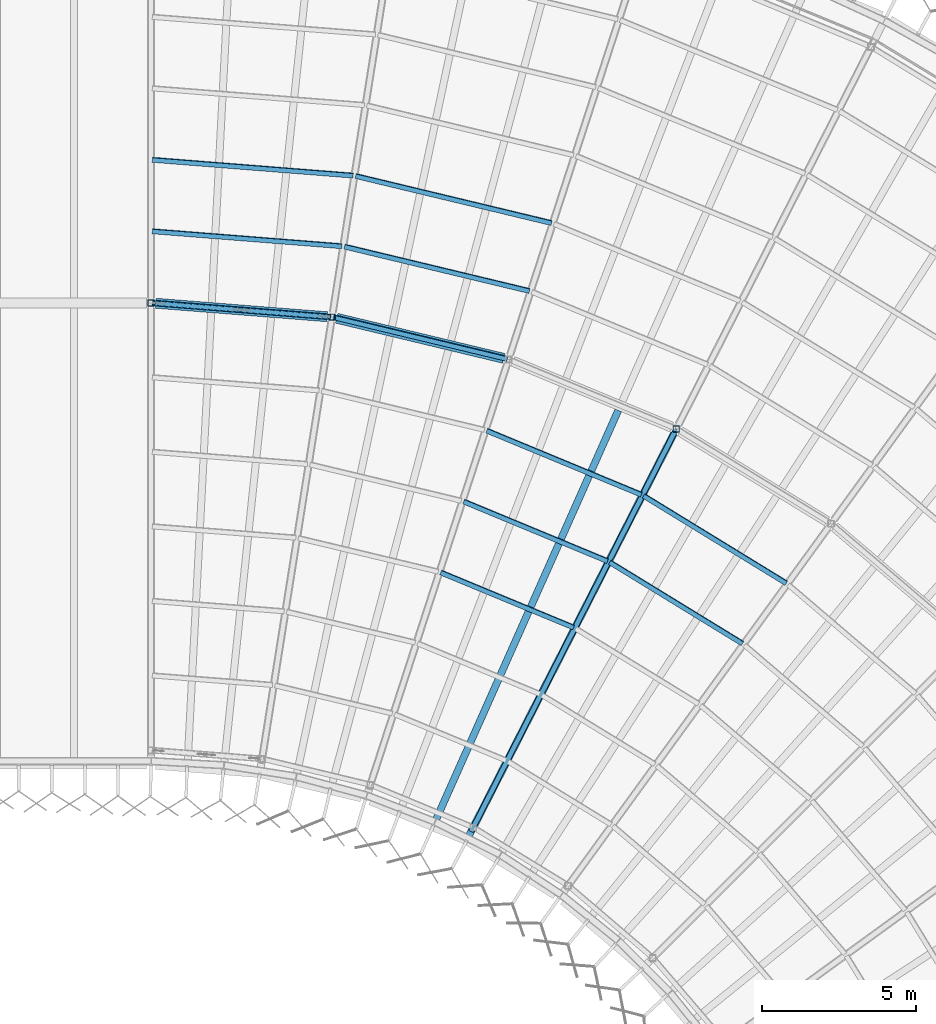
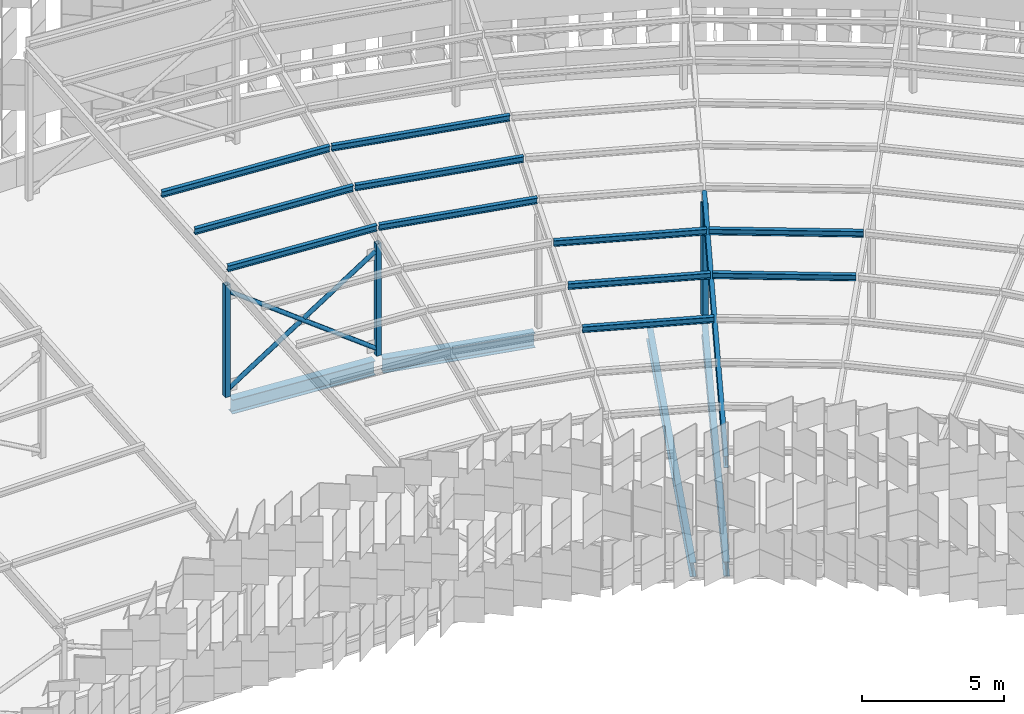
# One storey, part 85 of 483: 18 members, 4 beams.
"""IFC4 building model written with IfcOpenShell, lengths in metres."""

import ifcopenshell
import ifcopenshell.guid

model = None  # the IFC model being written
_history = None  # IfcOwnerHistory: only IFC2X3 demands one
_inside = {}  # id of a spatial element -> (the spatial element, [elements in it])
_under = {}  # id of a project, library or spatial element -> (it, [spatial elements below it])
_declared = {}  # id of a project -> (the project, [libraries it declares])
_typed = {}  # id of a type object -> (the type object, [elements of that type])
_made_of = {}  # id of a material, layer set ... -> (it, [elements and type objects made of it])


def new_model(schema):
    """Start an empty IFC model of exactly this schema.

    Asked for "IFC4X3", IfcOpenShell would pick the latest addendum, in which some entities
    have other attributes; the version numbers below select the first issue.
    IFC2X3 requires an IfcOwnerHistory on every rooted entity: one is made here for all.
    """
    global model, _history
    if schema == "IFC4X3":
        model = ifcopenshell.file(schema_version=(4, 3, 0, 0))
    else:
        model = ifcopenshell.file(schema=schema)
    _inside.clear()
    _under.clear()
    _declared.clear()
    _typed.clear()
    _made_of.clear()
    _history = None
    if model.schema == "IFC2X3":
        org = make("IfcOrganization", Name="unknown")
        user = make(
            "IfcPersonAndOrganization",
            ThePerson=make("IfcPerson", FamilyName="unknown"),
            TheOrganization=org,
        )
        app = make(
            "IfcApplication",
            ApplicationDeveloper=org,
            Version="unknown",
            ApplicationFullName="unknown",
            ApplicationIdentifier="unknown",
        )
        _history = make(
            "IfcOwnerHistory",
            OwningUser=user,
            OwningApplication=app,
            ChangeAction="ADDED",
            CreationDate=0,
        )
    return model


def make(cls, **values):
    """One entity of the class cls with the attributes given. An attribute that is None is left unset."""
    return model.create_entity(
        cls, **{name: value for name, value in values.items() if value is not None}
    )


def rooted(cls, **values):
    """An entity with a GlobalId (a new one), such as an element, a storey or a relation."""
    return make(cls, GlobalId=ifcopenshell.guid.new(), OwnerHistory=_history, **values)


def si_unit(unit_type, name, prefix=None):
    """IfcSIUnit, for example si_unit("LENGTHUNIT", "METRE", prefix="MILLI")."""
    return make("IfcSIUnit", UnitType=unit_type, Prefix=prefix, Name=name)


def assignment(units):
    """IfcUnitAssignment: the units of a project."""
    return None if units is None else make("IfcUnitAssignment", Units=units)


def point(xyz):
    """IfcCartesianPoint."""
    return None if xyz is None else make("IfcCartesianPoint", Coordinates=xyz)


def direction(xyz):
    """IfcDirection."""
    return None if xyz is None else make("IfcDirection", DirectionRatios=xyz)


def frame(location, z_axis=None, x_axis=None):
    """IfcAxis2Placement3D, a coordinate frame: its origin and axes. An axis left out is left unset."""
    return make(
        "IfcAxis2Placement3D",
        Location=point(location),
        Axis=direction(z_axis),
        RefDirection=direction(x_axis),
    )


def frame_2d(location, x_axis=None):
    """IfcAxis2Placement2D, a coordinate frame in the plane: its origin and x axis."""
    return make(
        "IfcAxis2Placement2D", Location=point(location), RefDirection=direction(x_axis)
    )


def origin():
    """The frame at (0, 0, 0) with its axes left unset."""
    return frame((0.0, 0.0, 0.0))


def origin_2d():
    """The frame at (0, 0) in the plane with its x axis left unset."""
    return frame_2d((0.0, 0.0))


def place(relative_to, where):
    """IfcLocalPlacement: puts the frame where relative to a parent placement (None: the world)."""
    return make(
        "IfcLocalPlacement", PlacementRelTo=relative_to, RelativePlacement=where
    )


def context(
    kind, dimensions, precision=None, world=None, true_north=None, identifier=None
):
    """IfcGeometricRepresentationContext, for example the 3D "Model" context."""
    return make(
        "IfcGeometricRepresentationContext",
        ContextIdentifier=identifier,
        ContextType=kind,
        CoordinateSpaceDimension=dimensions,
        Precision=precision,
        WorldCoordinateSystem=world,
        TrueNorth=true_north,
    )


def subcontext(parent, identifier, kind, view, scale=None):
    """IfcGeometricRepresentationSubContext, for example "Body" below "Model"."""
    return make(
        "IfcGeometricRepresentationSubContext",
        ContextIdentifier=identifier,
        ContextType=kind,
        ParentContext=parent,
        TargetScale=scale,
        TargetView=view,
    )


def project(units=None, contexts=None):
    """IfcProject with its units and contexts."""
    return rooted(
        "IfcProject",
        Name="project",
        RepresentationContexts=contexts,
        UnitsInContext=assignment(units),
    )


def spatial(cls, under=None, at=None, **own):
    """A site, building, storey or space (cls), placed at a placement, below another one or the project."""
    s = rooted(cls, ObjectPlacement=at, **own)
    if under is not None:
        _under.setdefault(under.id(), (under, []))[1].append(s)
    return s


def profile(cls, at=None, kind="AREA", **sizes):
    """A parametric profile (cls). Its sizes go by their IFC names, for example OverallWidth=200.0."""
    return make(cls, ProfileType=kind, Position=at, **sizes)


def hollow_rectangle(**sizes):
    """IfcRectangleHollowProfileDef."""
    return profile("IfcRectangleHollowProfileDef", **sizes)


def hollow_circle(**sizes):
    """IfcCircleHollowProfileDef."""
    return profile("IfcCircleHollowProfileDef", **sizes)


def i_section(**sizes):
    """IfcIShapeProfileDef."""
    return profile("IfcIShapeProfileDef", **sizes)


def extrude(swept, where, along, depth):
    """IfcExtrudedAreaSolid: the profile swept, set in the frame where, extruded along a direction by depth."""
    return make(
        "IfcExtrudedAreaSolid",
        SweptArea=swept,
        Position=where,
        ExtrudedDirection=direction(along),
        Depth=depth,
    )


def shape(context_of_items, identifier, shape_type, items):
    """IfcShapeRepresentation: the items that make up one representation, for example the "Body"."""
    return make(
        "IfcShapeRepresentation",
        ContextOfItems=context_of_items,
        RepresentationIdentifier=identifier,
        RepresentationType=shape_type,
        Items=items,
    )


def material(Name=None, Category=None):
    """IfcMaterial."""
    return make("IfcMaterial", Name=Name, Category=Category)


def material_profile(
    of_material, cross_section, Name=None, Category=None, Priority=None
):
    """IfcMaterialProfile: a cross section and its material."""
    return make(
        "IfcMaterialProfile",
        Name=Name,
        Material=of_material,
        Profile=cross_section,
        Priority=Priority,
        Category=Category,
    )


def profile_set(profiles, Name=None, composite=None):
    """IfcMaterialProfileSet."""
    return make(
        "IfcMaterialProfileSet",
        Name=Name,
        MaterialProfiles=profiles,
        CompositeProfile=composite,
    )


def made_of(thing, what):
    """Note that an element or type object is made of a material, layer set ...; save() writes the relation."""
    if what is not None:
        _made_of.setdefault(what.id(), (what, []))[1].append(thing)
    return thing


def type_object(cls, material=None, **own):
    """A type object (cls), such as IfcWallType, which elements share."""
    return made_of(rooted(cls, **own), material)


def element(
    cls,
    number,
    at=None,
    inside=None,
    cuts=None,
    type_object=None,
    material=None,
    context=None,
    identifier="Body",
    shape_type=None,
    held_by="IfcProductDefinitionShape",
    body=None,
    shapes=None,
    **own,
):
    """One element of the class cls, such as IfcWall. Its Tag is "e" and its number.

    at: its placement. inside: the storey or other place that contains it. cuts: it is an
    opening in that element (IfcRelVoidsElement). A single representation is given by context,
    identifier, shape_type and body (its items); several are given by shapes. held_by: the class
    of the entity that holds the representations. save() writes the other relations.
    """
    e = rooted(cls, Tag="e%d" % number, ObjectPlacement=at, **own)
    if body is not None:
        shapes = [shape(context, identifier, shape_type, body)]
    if shapes is not None:
        e.Representation = make(held_by, Representations=shapes)
    if inside is not None:
        _inside.setdefault(inside.id(), (inside, []))[1].append(e)
    if cuts is not None:
        rooted(
            "IfcRelVoidsElement", RelatingBuildingElement=cuts, RelatedOpeningElement=e
        )
    if type_object is not None:
        _typed.setdefault(type_object.id(), (type_object, []))[1].append(e)
    return made_of(e, material)


def aggregate(whole, parts):
    """IfcRelAggregates: a whole, such as a stair, and the parts it consists of."""
    return rooted("IfcRelAggregates", RelatingObject=whole, RelatedObjects=parts)


def save(model, path):
    """Write the relations noted so far, then the file.

    IfcRelAggregates (storeys below a building ...), IfcRelContainedInSpatialStructure (elements
    in a storey), IfcRelDefinesByType, IfcRelAssociatesMaterial and IfcRelDeclares: one each for
    every whole, place, type object, material and project.
    """
    for whole, parts in _under.values():
        aggregate(whole, parts)
    for where, things in _inside.values():
        rooted(
            "IfcRelContainedInSpatialStructure",
            RelatedElements=things,
            RelatingStructure=where,
        )
    for kind, things in _typed.values():
        rooted("IfcRelDefinesByType", RelatedObjects=things, RelatingType=kind)
    for what, things in _made_of.values():
        rooted("IfcRelAssociatesMaterial", RelatedObjects=things, RelatingMaterial=what)
    for by, libraries in _declared.values():
        rooted("IfcRelDeclares", RelatingContext=by, RelatedDefinitions=libraries)
    model.write(path)


model = new_model("IFC4")

# Units and contexts
model_context = context("Model", 3, precision=1e-05, world=origin(), true_north=direction((0.0, 1.0)))
body_context = subcontext(model_context, "Body", "Model", "MODEL_VIEW")
ifc_project = project(units=[si_unit("LENGTHUNIT", "METRE"), si_unit("AREAUNIT", "SQUARE_METRE"), si_unit("VOLUMEUNIT", "CUBIC_METRE"), si_unit("PLANEANGLEUNIT", "RADIAN"), si_unit("MASSUNIT", "GRAM", prefix="KILO")], contexts=[model_context])

# Site, building, storey
site_placement = place(None, origin())
site = spatial("IfcSite", under=ifc_project, at=site_placement, CompositionType="ELEMENT")
building_placement = place(site_placement, origin())
building = spatial("IfcBuilding", under=site, at=building_placement, Name="Parallax Yard Mobility Hub", CompositionType="ELEMENT")
storey_placement = place(building_placement, frame((0.0, 0.0, 13.199951171875)))
storey = spatial("IfcBuildingStorey", under=building, at=storey_placement, Name="L04", CompositionType="ELEMENT", Elevation=13.199951171875)

# Members
ifc_material_1 = material(Name="Steel ASTM A500 Gr C", Category="steel")
ifc_material_profile_1 = material_profile(ifc_material_1, hollow_circle(Radius=0.0888671875, WallThickness=0.0078125, at=origin_2d()), Name="HSS177.8x7.9")
ifc_profile_set_1 = profile_set([ifc_material_profile_1], Name="Steel ASTM A500 Gr C")
member_type_1 = type_object("IfcMemberType", Name="Canopy brace HSS177.8x7.9", PredefinedType="BRACE", material=ifc_profile_set_1)
member_1_placement = place(storey_placement, frame((178.272216796875, 127.045654296875, 0.300048828125), z_axis=(-0.805735966664, 0.063432047251, 0.588868344714), x_axis=(-0.078482768349, -0.996915470375, 0.0)))
element("IfcMember", 1, at=member_1_placement, inside=storey, type_object=member_type_1, Name="Canopy X brace RB bay R0-R1 diagonal B", PredefinedType="BRACE", context=body_context, shape_type="SweptSolid", body=[
    extrude(hollow_circle(Radius=0.0888671875, WallThickness=0.0078125, at=origin_2d()), origin(), (0.0, 0.0, 1.0), 7.04736328125),
])
for number, where, z_axis, x_axis, name in (
    (2, (172.593994140625, 127.49267578125, 0.300048828125), (0.805736014906, -0.063442663143, 0.588867135079), (0.078495817512, 0.996914442986, 0.0), "Canopy X brace RB bay R0-R1 diagonal A part 1"),
    (3, (175.500244140625, 127.263916015625, 2.424072265625), (0.805736014906, -0.063442663143, 0.588867135079), (0.078495817512, 0.996914442986, 0.0), "Canopy X brace RB bay R0-R1 diagonal A part 2"),
):
    element("IfcMember", number, at=place(storey_placement, frame(where, z_axis=z_axis, x_axis=x_axis)), inside=storey, type_object=member_type_1, Name=name, PredefinedType="BRACE", context=body_context, shape_type="SweptSolid", body=[
        extrude(hollow_circle(Radius=0.0888671875, WallThickness=0.0078125, at=origin_2d()), origin(), (0.0, 0.0, 1.0), 3.440185546875),
    ])
ifc_material_profile_2 = material_profile(ifc_material_1, hollow_rectangle(XDim=0.203125, YDim=0.203125, WallThickness=0.009521484375, at=origin_2d()), Name="HSS203x203x9.5")
ifc_profile_set_2 = profile_set([ifc_material_profile_2], Name="Steel ASTM A500 Gr C")
member_type_2 = type_object("IfcMemberType", Name="Canopy post HSS203x203x9.5", PredefinedType="POST", material=ifc_profile_set_2)
for number, where, z_axis, x_axis, name in (
    (4, (172.5, 127.5, 0.0), (0.0, 0.0, 1.0), (1.0, 0.0, 0.0), "Canopy post RB/R0"),
    (5, (178.3662109375, 127.038330078125, 0.0), (0.0, 0.0, 1.0), (1.0, 0.0, 0.0), "Canopy post RB/R1"),
    (6, (189.524658203125, 123.41259765625, 0.0), (0.0, 0.0, 1.0), (1.0, 0.0, 0.0), "Canopy post RB/R3"),
):
    element("IfcMember", number, at=place(storey_placement, frame(where, z_axis=z_axis, x_axis=x_axis)), inside=storey, type_object=member_type_2, Name=name, PredefinedType="POST", context=body_context, shape_type="SweptSolid", body=[
        extrude(hollow_rectangle(XDim=0.203125, YDim=0.203125, WallThickness=0.009521484375, at=origin_2d()), origin(), (0.0, 0.0, 1.0), 4.81005859375),
    ])
ifc_material_2 = material(Name="Steel ASTM A992", Category="steel")
ifc_material_profile_3 = material_profile(ifc_material_2, i_section(OverallWidth=0.14794921875, OverallDepth=0.26611328125, WebThickness=0.007568359375, FlangeThickness=0.012939453125, at=origin_2d()), Name="W250x45")
ifc_profile_set_3 = profile_set([ifc_material_profile_3], Name="Steel ASTM A992")
member_type_3 = type_object("IfcMemberType", Name="Canopy purlin W250x45", PredefinedType="PURLIN", material=ifc_profile_set_3)
member_2_placement = place(storey_placement, frame((172.540771484375, 127.507568359375, 5.462158203125), z_axis=(0.996915319542, -0.078484684257, 0.0), x_axis=(0.078233192127, 0.993720857345, 0.079990157691)))
element("IfcMember", 7, at=member_2_placement, inside=storey, type_object=member_type_3, Name="Canopy purlin sector R0-R1 line 7", PredefinedType="PURLIN", context=body_context, shape_type="SweptSolid", body=[
    extrude(i_section(OverallWidth=0.14794921875, OverallDepth=0.26611328125, WebThickness=0.007568359375, FlangeThickness=0.012939453125, at=origin_2d()), origin(), (0.0, 0.0, 1.0), 5.804443359375),
])
member_3_placement = place(storey_placement, frame((172.540771484375, 129.82421875, 5.6474609375), z_axis=(0.996914798169, -0.078491306471, 0.0), x_axis=(0.078239793121, 0.993720337643, 0.079990157691)))
element("IfcMember", 8, at=member_3_placement, inside=storey, type_object=member_type_3, Name="Canopy purlin sector R0-R1 line 8", PredefinedType="PURLIN", context=body_context, shape_type="SweptSolid", body=[
    extrude(i_section(OverallWidth=0.14794921875, OverallDepth=0.26611328125, WebThickness=0.007568359375, FlangeThickness=0.012939453125, at=origin_2d()), origin(), (0.0, 0.0, 1.0), 6.16796875),
])
member_4_placement = place(storey_placement, frame((172.540771484375, 132.140869140625, 5.832763671875), z_axis=(0.996917259239, -0.078460042263, 0.0), x_axis=(0.078208629094, 0.993722790826, 0.079990157691)))
element("IfcMember", 9, at=member_4_placement, inside=storey, type_object=member_type_3, Name="Canopy purlin sector R0-R1 line 9", PredefinedType="PURLIN", context=body_context, shape_type="SweptSolid", body=[
    extrude(i_section(OverallWidth=0.14794921875, OverallDepth=0.26611328125, WebThickness=0.007568359375, FlangeThickness=0.012939453125, at=origin_2d()), origin(), (0.0, 0.0, 1.0), 6.53125),
])
member_5_placement = place(storey_placement, frame((178.40771484375, 127.039306640625, 5.462158203125), z_axis=(0.972371264243, -0.233439766266, 0.0), x_axis=(0.232691744349, 0.969255449706, 0.079990157691)))
element("IfcMember", 10, at=member_5_placement, inside=storey, type_object=member_type_3, Name="Canopy purlin sector R1-R2 line 7", PredefinedType="PURLIN", context=body_context, shape_type="SweptSolid", body=[
    extrude(i_section(OverallWidth=0.14794921875, OverallDepth=0.26611328125, WebThickness=0.007568359375, FlangeThickness=0.012939453125, at=origin_2d()), origin(), (0.0, 0.0, 1.0), 5.804443359375),
])
member_6_placement = place(storey_placement, frame((178.77001953125, 129.327392578125, 5.6474609375), z_axis=(0.972376881485, -0.233416366935, 0.0), x_axis=(0.232668419997, 0.969261048948, 0.079990157691)))
element("IfcMember", 11, at=member_6_placement, inside=storey, type_object=member_type_3, Name="Canopy purlin sector R1-R2 line 8", PredefinedType="PURLIN", context=body_context, shape_type="SweptSolid", body=[
    extrude(i_section(OverallWidth=0.14794921875, OverallDepth=0.26611328125, WebThickness=0.007568359375, FlangeThickness=0.012939453125, at=origin_2d()), origin(), (0.0, 0.0, 1.0), 6.16796875),
])
member_7_placement = place(storey_placement, frame((179.132568359375, 131.615478515625, 5.832763671875), z_axis=(0.972371352329, -0.23343939935, 0.0), x_axis=(0.232691378609, 0.96925553751, 0.079990157691)))
element("IfcMember", 12, at=member_7_placement, inside=storey, type_object=member_type_3, Name="Canopy purlin sector R1-R2 line 9", PredefinedType="PURLIN", context=body_context, shape_type="SweptSolid", body=[
    extrude(i_section(OverallWidth=0.14794921875, OverallDepth=0.26611328125, WebThickness=0.007568359375, FlangeThickness=0.012939453125, at=origin_2d()), origin(), (0.0, 0.0, 1.0), 6.53125),
])
member_8_placement = place(storey_placement, frame((181.888916015625, 118.763916015625, 4.882080078125), z_axis=(0.923872083566, -0.382701415215, 0.0), x_axis=(0.381475107243, 0.920911677212, 0.079990157691)))
element("IfcMember", 13, at=member_8_placement, inside=storey, type_object=member_type_3, Name="Canopy purlin sector R2-R3 line 4", PredefinedType="PURLIN", context=body_context, shape_type="SweptSolid", body=[
    extrude(i_section(OverallWidth=0.14794921875, OverallDepth=0.26611328125, WebThickness=0.007568359375, FlangeThickness=0.012939453125, at=origin_2d()), origin(), (0.0, 0.0, 1.0), 4.66650390625),
])
member_9_placement = place(storey_placement, frame((182.635498046875, 121.062255859375, 5.075439453125), z_axis=(0.923893595769, -0.382649478893, 0.0), x_axis=(0.381423337343, 0.920933120483, 0.079990157691)))
element("IfcMember", 14, at=member_9_placement, inside=storey, type_object=member_type_3, Name="Canopy purlin sector R2-R3 line 5", PredefinedType="PURLIN", context=body_context, shape_type="SweptSolid", body=[
    extrude(i_section(OverallWidth=0.14794921875, OverallDepth=0.26611328125, WebThickness=0.007568359375, FlangeThickness=0.012939453125, at=origin_2d()), origin(), (0.0, 0.0, 1.0), 5.046142578125),
])
member_10_placement = place(storey_placement, frame((183.38232421875, 123.360595703125, 5.2685546875), z_axis=(0.923892331072, -0.382652532445, 0.0), x_axis=(0.381426381111, 0.920931859838, 0.079990157691)))
element("IfcMember", 15, at=member_10_placement, inside=storey, type_object=member_type_3, Name="Canopy purlin sector R2-R3 line 6", PredefinedType="PURLIN", context=body_context, shape_type="SweptSolid", body=[
    extrude(i_section(OverallWidth=0.14794921875, OverallDepth=0.26611328125, WebThickness=0.007568359375, FlangeThickness=0.012939453125, at=origin_2d()), origin(), (0.0, 0.0, 1.0), 5.425048828125),
])
member_11_placement = place(storey_placement, frame((187.3701171875, 119.094482421875, 5.075439453125), z_axis=(0.852648533689, -0.522484906957, 0.0), x_axis=(0.520810684231, 0.849916352274, 0.079990157691)))
element("IfcMember", 16, at=member_11_placement, inside=storey, type_object=member_type_3, Name="Canopy purlin sector R3-R4 line 5", PredefinedType="PURLIN", context=body_context, shape_type="SweptSolid", body=[
    extrude(i_section(OverallWidth=0.14794921875, OverallDepth=0.26611328125, WebThickness=0.007568359375, FlangeThickness=0.012939453125, at=origin_2d()), origin(), (0.0, 0.0, 1.0), 5.046142578125),
])
member_12_placement = place(storey_placement, frame((188.46728515625, 121.247802734375, 5.2685546875), z_axis=(0.852634882292, -0.522507184161, 0.0), x_axis=(0.520832890051, 0.849902744621, 0.079990157691)))
element("IfcMember", 17, at=member_12_placement, inside=storey, type_object=member_type_3, Name="Canopy purlin sector R3-R4 line 6", PredefinedType="PURLIN", context=body_context, shape_type="SweptSolid", body=[
    extrude(i_section(OverallWidth=0.14794921875, OverallDepth=0.26611328125, WebThickness=0.007568359375, FlangeThickness=0.012939453125, at=origin_2d()), origin(), (0.0, 0.0, 1.0), 5.42529296875),
])
ifc_material_profile_4 = material_profile(ifc_material_2, i_section(OverallWidth=0.166015625, OverallDepth=0.529052734375, WebThickness=0.009765625, FlangeThickness=0.013671875, at=origin_2d()), Name="W530x74")
ifc_profile_set_4 = profile_set([ifc_material_profile_4], Name="Steel ASTM A992")
member_type_4 = type_object("IfcMemberType", Name="Canopy rafter W530x74", PredefinedType="RAFTER", material=ifc_profile_set_4)
member_13_placement = place(storey_placement, frame((182.88330078125, 110.37841796875, 3.89501953125), z_axis=(0.452547245534, 0.888166745558, 0.079754765649), x_axis=(-0.891005028693, 0.453993434802, 0.0)))
element("IfcMember", 18, at=member_13_placement, inside=storey, type_object=member_type_4, Name="Canopy rafter R3 inner span", PredefinedType="RAFTER", context=body_context, shape_type="SweptSolid", body=[
    extrude(i_section(OverallWidth=0.166015625, OverallDepth=0.529052734375, WebThickness=0.009765625, FlangeThickness=0.013671875, at=origin_2d()), origin(), (0.0, 0.0, 1.0), 14.696533203125),
])

# Beams
ifc_material_profile_5 = material_profile(ifc_material_2, i_section(OverallWidth=0.22802734375, OverallDepth=0.60205078125, WebThickness=0.010498046875, FlangeThickness=0.014892578125, FilletRadius=0.0126953125, at=origin_2d()), Name="W610x101")
ifc_profile_set_5 = profile_set([ifc_material_profile_5], Name="Steel ASTM A992")
beam_type_1 = type_object("IfcBeamType", Name="W610x101 secondary beam", PredefinedType="JOIST", material=ifc_profile_set_5)
beam_1_placement = place(storey_placement, frame((181.673095703125, 110.60302734375, -0.44091796875), z_axis=(0.406743189488, 0.913542542964, 0.0), x_axis=(-0.913542542964, 0.406743189488, 0.0)))
element("IfcBeam", 19, at=beam_1_placement, inside=storey, type_object=beam_type_1, Name="Secondary beam B3 level L04, radial at 24 degrees of ramped parking decks, span 1", PredefinedType="JOIST", context=body_context, shape_type="SweptSolid", body=[
    extrude(i_section(OverallWidth=0.22802734375, OverallDepth=0.60205078125, WebThickness=0.010498046875, FlangeThickness=0.014892578125, FilletRadius=0.0126953125, at=origin_2d()), origin(), (0.0, 0.0, 1.0), 14.681640625),
])
ifc_material_profile_6 = material_profile(ifc_material_2, i_section(OverallWidth=0.22900390625, OverallDepth=0.612060546875, WebThickness=0.011962890625, FlangeThickness=0.01953125, FilletRadius=0.0126953125, at=origin_2d()), Name="W610x125")
ifc_profile_set_6 = profile_set([ifc_material_profile_6], Name="Steel ASTM A992")
beam_type_2 = type_object("IfcBeamType", Name="W610x125 girder", PredefinedType="BEAM", material=ifc_profile_set_6)
beam_2_placement = place(storey_placement, frame((182.71484375, 110.047607421875, -0.446044921875), z_axis=(0.453987162301, 0.891008224691, 0.0), x_axis=(-0.891008224691, 0.453987162301, 0.0)))
element("IfcBeam", 20, at=beam_2_placement, inside=storey, type_object=beam_type_2, Name="Girder G3 level L04, radial R3 of ramped parking decks, span 2", PredefinedType="BEAM", context=body_context, shape_type="SweptSolid", body=[
    extrude(i_section(OverallWidth=0.22900390625, OverallDepth=0.612060546875, WebThickness=0.011962890625, FlangeThickness=0.01953125, FilletRadius=0.0126953125, at=origin_2d()), origin(), (0.0, 0.0, 1.0), 14.8359375),
])
ifc_material_profile_7 = material_profile(ifc_material_2, i_section(OverallWidth=0.324951171875, OverallDepth=0.612060546875, WebThickness=0.0126953125, FlangeThickness=0.01904296875, FilletRadius=0.0126953125, at=origin_2d()), Name="W610x155")
ifc_profile_set_7 = profile_set([ifc_material_profile_7], Name="Steel ASTM A992")
beam_type_3 = type_object("IfcBeamType", Name="W610x155 longitudinal beam", PredefinedType="BEAM", material=ifc_profile_set_7)
beam_3_placement = place(storey_placement, frame((172.655029296875, 127.48779296875, -0.446044921875), z_axis=(0.996917653893, -0.0784550276, 0.0), x_axis=(0.0784550276, 0.996917653893, 0.0)))
element("IfcBeam", 21, at=beam_3_placement, inside=storey, type_object=beam_type_3, Name="Longitudinal beam SB8 level L04, ring RB of ramped parking decks, span 1", PredefinedType="BEAM", context=body_context, shape_type="SweptSolid", body=[
    extrude(i_section(OverallWidth=0.324951171875, OverallDepth=0.612060546875, WebThickness=0.0126953125, FlangeThickness=0.01904296875, FilletRadius=0.0126953125, at=origin_2d()), origin(), (0.0, 0.0, 1.0), 5.5732421875),
])
beam_4_placement = place(storey_placement, frame((178.517578125, 127.001953125, -0.446044921875), z_axis=(0.972372588094, -0.233434251822, 0.0), x_axis=(0.233434251822, 0.972372588094, 0.0)))
element("IfcBeam", 22, at=beam_4_placement, inside=storey, type_object=beam_type_3, Name="Longitudinal beam SB8 level L04, ring RB of ramped parking decks, span 2", PredefinedType="BEAM", context=body_context, shape_type="SweptSolid", body=[
    extrude(i_section(OverallWidth=0.324951171875, OverallDepth=0.612060546875, WebThickness=0.0126953125, FlangeThickness=0.01904296875, FilletRadius=0.0126953125, at=origin_2d()), origin(), (0.0, 0.0, 1.0), 5.573486328125),
])

save(model, "model.ifc")
